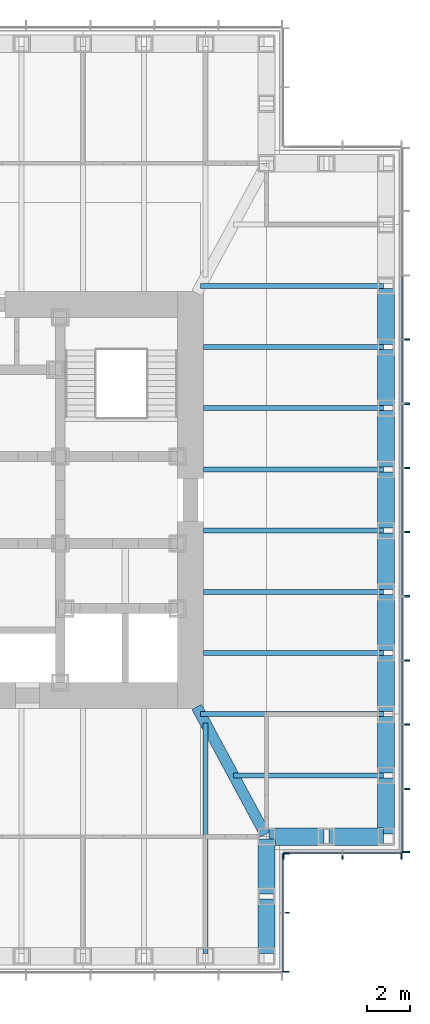
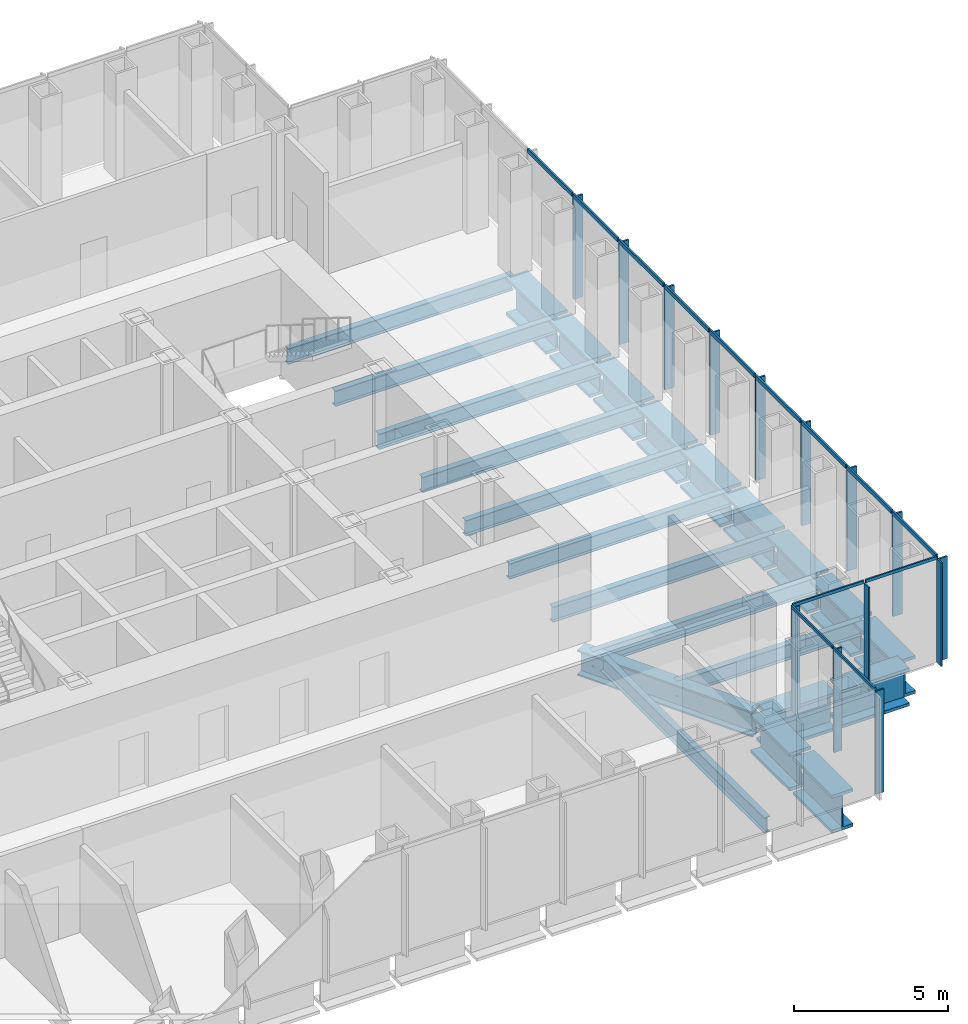
# One storey, part 4 of 17: 28 members, 24 beams, 3 elements without a shape of their own.
"""IFC4 building model written with IfcOpenShell, lengths in metres."""

from ifc_helpers import new_model, si_unit, direction, frame, origin, origin_2d, place, context, subcontext, project, spatial, rectangle, i_section, extrude, material, material_profile, profile_set, type_object, element, aggregate, save


model = new_model("IFC4")

# Units and contexts
model_context = context("Model", 3, precision=1e-05, world=origin(), true_north=direction((0.0, 1.0)))
body_context = subcontext(model_context, "Body", "Model", "MODEL_VIEW")
ifc_project = project(units=[si_unit("LENGTHUNIT", "METRE"), si_unit("AREAUNIT", "SQUARE_METRE"), si_unit("VOLUMEUNIT", "CUBIC_METRE"), si_unit("PLANEANGLEUNIT", "RADIAN"), si_unit("MASSUNIT", "GRAM", prefix="KILO")], contexts=[model_context])

# Site, building, storey
site_placement = place(None, origin())
site = spatial("IfcSite", under=ifc_project, at=site_placement, CompositionType="ELEMENT")
building_placement = place(site_placement, origin())
building = spatial("IfcBuilding", under=site, at=building_placement, Name="Daluyong Arena Tower", CompositionType="ELEMENT")
storey_placement = place(building_placement, frame((0.0, 0.0, 223.300048828125)))
storey = spatial("IfcBuildingStorey", under=building, at=storey_placement, Name="L50", CompositionType="ELEMENT", Elevation=223.300048828125)

# Curtain wall, members
ifc_material_1 = material(Name="Bronze anodised aluminium and glass", Category="aluminium")
curtain_wall_type_1 = type_object("IfcCurtainWallType", Name="Curtain wall CW3", PredefinedType="USERDEFINED", material=ifc_material_1)
curtain_wall_1_placement = place(storey_placement, origin())
curtain_wall_1 = element("IfcCurtainWall", 1, at=curtain_wall_1_placement, inside=storey, type_object=curtain_wall_type_1, Name="curtain wall L50 E", ObjectType="UNITISED CURTAIN WALL", PredefinedType="USERDEFINED")
ifc_material_2 = material(Name="Bronze anodised aluminium fin", Category="aluminium")
ifc_material_profile_1 = material_profile(ifc_material_2, rectangle(XDim=0.35009765625, YDim=0.070068359375, at=origin_2d()))
ifc_profile_set_1 = profile_set([ifc_material_profile_1], Name="Bronze anodised aluminium fin")
member_type_1 = type_object("IfcMemberType", Name="CW3 bronze fin 350x70", PredefinedType="MULLION", material=ifc_profile_set_1)
member_1_placement = place(storey_placement, frame((77.925048828125, 63.784912109375, 0.0), z_axis=(0.0, 0.0, 1.0), x_axis=(-1.0, 0.0, 0.0)))
member_1 = element("IfcMember", 2, at=member_1_placement, type_object=member_type_1, Name="curtain wall L50 E fin 1", PredefinedType="MULLION", context=body_context, shape_type="SweptSolid", body=[
    extrude(rectangle(XDim=0.35009765625, YDim=0.070068359375, at=origin_2d()), origin(), (0.0, 0.0, 1.0), 4.0400390625),
])
member_2_placement = place(storey_placement, frame((77.925048828125, 66.70458984375, 0.0), z_axis=(0.0, 0.0, 1.0), x_axis=(-1.0, 0.0, 0.0)))
member_2 = element("IfcMember", 3, at=member_2_placement, type_object=member_type_1, Name="curtain wall L50 E fin 2", PredefinedType="MULLION", context=body_context, shape_type="SweptSolid", body=[
    extrude(rectangle(XDim=0.35009765625, YDim=0.070068359375, at=origin_2d()), origin(), (0.0, 0.0, 1.0), 4.0400390625),
])
member_3_placement = place(storey_placement, frame((77.925048828125, 69.6591796875, 0.0), z_axis=(0.0, 0.0, 1.0), x_axis=(-1.0, 0.0, 0.0)))
member_3 = element("IfcMember", 4, at=member_3_placement, type_object=member_type_1, Name="curtain wall L50 E fin 3", PredefinedType="MULLION", context=body_context, shape_type="SweptSolid", body=[
    extrude(rectangle(XDim=0.35009765625, YDim=0.070068359375, at=origin_2d()), origin(), (0.0, 0.0, 1.0), 4.0400390625),
])
member_4_placement = place(storey_placement, frame((77.925048828125, 72.613525390625, 0.0), z_axis=(0.0, 0.0, 1.0), x_axis=(-1.0, 0.0, 0.0)))
member_4 = element("IfcMember", 5, at=member_4_placement, type_object=member_type_1, Name="curtain wall L50 E fin 4", PredefinedType="MULLION", context=body_context, shape_type="SweptSolid", body=[
    extrude(rectangle(XDim=0.35009765625, YDim=0.070068359375, at=origin_2d()), origin(), (0.0, 0.0, 1.0), 4.0400390625),
])
member_5_placement = place(storey_placement, frame((77.925048828125, 75.568115234375, 0.0), z_axis=(0.0, 0.0, 1.0), x_axis=(-1.0, 0.0, 0.0)))
member_5 = element("IfcMember", 6, at=member_5_placement, type_object=member_type_1, Name="curtain wall L50 E fin 5", PredefinedType="MULLION", context=body_context, shape_type="SweptSolid", body=[
    extrude(rectangle(XDim=0.35009765625, YDim=0.070068359375, at=origin_2d()), origin(), (0.0, 0.0, 1.0), 4.0400390625),
])
member_6_placement = place(storey_placement, frame((77.925048828125, 78.522705078125, 0.0), z_axis=(0.0, 0.0, 1.0), x_axis=(-1.0, 0.0, 0.0)))
member_6 = element("IfcMember", 7, at=member_6_placement, type_object=member_type_1, Name="curtain wall L50 E fin 6", PredefinedType="MULLION", context=body_context, shape_type="SweptSolid", body=[
    extrude(rectangle(XDim=0.35009765625, YDim=0.070068359375, at=origin_2d()), origin(), (0.0, 0.0, 1.0), 4.0400390625),
])
member_7_placement = place(storey_placement, frame((77.925048828125, 81.477294921875, 0.0), z_axis=(0.0, 0.0, 1.0), x_axis=(-1.0, 0.0, 0.0)))
member_7 = element("IfcMember", 8, at=member_7_placement, type_object=member_type_1, Name="curtain wall L50 E fin 7", PredefinedType="MULLION", context=body_context, shape_type="SweptSolid", body=[
    extrude(rectangle(XDim=0.35009765625, YDim=0.070068359375, at=origin_2d()), origin(), (0.0, 0.0, 1.0), 4.0400390625),
])
member_8_placement = place(storey_placement, frame((77.925048828125, 84.431884765625, 0.0), z_axis=(0.0, 0.0, 1.0), x_axis=(-1.0, 0.0, 0.0)))
member_8 = element("IfcMember", 9, at=member_8_placement, type_object=member_type_1, Name="curtain wall L50 E fin 8", PredefinedType="MULLION", context=body_context, shape_type="SweptSolid", body=[
    extrude(rectangle(XDim=0.35009765625, YDim=0.070068359375, at=origin_2d()), origin(), (0.0, 0.0, 1.0), 4.0400390625),
])
member_9_placement = place(storey_placement, frame((77.925048828125, 87.386474609375, 0.0), z_axis=(0.0, 0.0, 1.0), x_axis=(-1.0, 0.0, 0.0)))
member_9 = element("IfcMember", 10, at=member_9_placement, type_object=member_type_1, Name="curtain wall L50 E fin 9", PredefinedType="MULLION", context=body_context, shape_type="SweptSolid", body=[
    extrude(rectangle(XDim=0.35009765625, YDim=0.070068359375, at=origin_2d()), origin(), (0.0, 0.0, 1.0), 4.0400390625),
])
ifc_material_3 = material(Name="Bronze anodised aluminium", Category="aluminium")
ifc_material_profile_2 = material_profile(ifc_material_3, rectangle(XDim=0.070068359375, YDim=0.159912109375, at=origin_2d()))
ifc_profile_set_2 = profile_set([ifc_material_profile_2], Name="Bronze anodised aluminium")
member_type_2 = type_object("IfcMemberType", Name="CW3 stack transom 160x70", PredefinedType="USERDEFINED", material=ifc_profile_set_2)
member_10_placement = place(storey_placement, frame((77.75, 63.820068359375, 4.119873046875), z_axis=(0.0, 1.0, 0.0), x_axis=(-1.0, 0.0, 0.0)))
member_10 = element("IfcMember", 11, at=member_10_placement, type_object=member_type_2, Name="curtain wall L50 E transom 1", ObjectType="TRANSOM", PredefinedType="USERDEFINED", context=body_context, shape_type="SweptSolid", body=[
    extrude(rectangle(XDim=0.070068359375, YDim=0.159912109375, at=origin_2d()), origin(), (0.0, 0.0, 1.0), 2.849365234375),
])
member_11_placement = place(storey_placement, frame((77.75, 66.739501953125, 4.119873046875), z_axis=(0.0, 1.0, 0.0), x_axis=(-1.0, 0.0, 0.0)))
member_11 = element("IfcMember", 12, at=member_11_placement, type_object=member_type_2, Name="curtain wall L50 E transom 2", ObjectType="TRANSOM", PredefinedType="USERDEFINED", context=body_context, shape_type="SweptSolid", body=[
    extrude(rectangle(XDim=0.070068359375, YDim=0.159912109375, at=origin_2d()), origin(), (0.0, 0.0, 1.0), 2.884521484375),
])
member_12_placement = place(storey_placement, frame((77.75, 69.694091796875, 4.119873046875), z_axis=(0.0, 1.0, 0.0), x_axis=(-1.0, 0.0, 0.0)))
member_12 = element("IfcMember", 13, at=member_12_placement, type_object=member_type_2, Name="curtain wall L50 E transom 3", ObjectType="TRANSOM", PredefinedType="USERDEFINED", context=body_context, shape_type="SweptSolid", body=[
    extrude(rectangle(XDim=0.070068359375, YDim=0.159912109375, at=origin_2d()), origin(), (0.0, 0.0, 1.0), 2.884521484375),
])
member_13_placement = place(storey_placement, frame((77.75, 72.648681640625, 4.119873046875), z_axis=(0.0, 1.0, 0.0), x_axis=(-1.0, 0.0, 0.0)))
member_13 = element("IfcMember", 14, at=member_13_placement, type_object=member_type_2, Name="curtain wall L50 E transom 4", ObjectType="TRANSOM", PredefinedType="USERDEFINED", context=body_context, shape_type="SweptSolid", body=[
    extrude(rectangle(XDim=0.070068359375, YDim=0.159912109375, at=origin_2d()), origin(), (0.0, 0.0, 1.0), 2.884521484375),
])
member_14_placement = place(storey_placement, frame((77.75, 75.603271484375, 4.119873046875), z_axis=(0.0, 1.0, 0.0), x_axis=(-1.0, 0.0, 0.0)))
member_14 = element("IfcMember", 15, at=member_14_placement, type_object=member_type_2, Name="curtain wall L50 E transom 5", ObjectType="TRANSOM", PredefinedType="USERDEFINED", context=body_context, shape_type="SweptSolid", body=[
    extrude(rectangle(XDim=0.070068359375, YDim=0.159912109375, at=origin_2d()), origin(), (0.0, 0.0, 1.0), 2.884521484375),
])
member_15_placement = place(storey_placement, frame((77.75, 78.5576171875, 4.119873046875), z_axis=(0.0, 1.0, 0.0), x_axis=(-1.0, 0.0, 0.0)))
member_15 = element("IfcMember", 16, at=member_15_placement, type_object=member_type_2, Name="curtain wall L50 E transom 6", ObjectType="TRANSOM", PredefinedType="USERDEFINED", context=body_context, shape_type="SweptSolid", body=[
    extrude(rectangle(XDim=0.070068359375, YDim=0.159912109375, at=origin_2d()), origin(), (0.0, 0.0, 1.0), 2.884765625),
])
member_16_placement = place(storey_placement, frame((77.75, 81.51220703125, 4.119873046875), z_axis=(0.0, 1.0, 0.0), x_axis=(-1.0, 0.0, 0.0)))
member_16 = element("IfcMember", 17, at=member_16_placement, type_object=member_type_2, Name="curtain wall L50 E transom 7", ObjectType="TRANSOM", PredefinedType="USERDEFINED", context=body_context, shape_type="SweptSolid", body=[
    extrude(rectangle(XDim=0.070068359375, YDim=0.159912109375, at=origin_2d()), origin(), (0.0, 0.0, 1.0), 2.884521484375),
])
member_17_placement = place(storey_placement, frame((77.75, 84.466796875, 4.119873046875), z_axis=(0.0, 1.0, 0.0), x_axis=(-1.0, 0.0, 0.0)))
member_17 = element("IfcMember", 18, at=member_17_placement, type_object=member_type_2, Name="curtain wall L50 E transom 8", ObjectType="TRANSOM", PredefinedType="USERDEFINED", context=body_context, shape_type="SweptSolid", body=[
    extrude(rectangle(XDim=0.070068359375, YDim=0.159912109375, at=origin_2d()), origin(), (0.0, 0.0, 1.0), 2.884521484375),
])
member_18_placement = place(storey_placement, frame((77.75, 87.42138671875, 4.119873046875), z_axis=(0.0, 1.0, 0.0), x_axis=(-1.0, 0.0, 0.0)))
member_18 = element("IfcMember", 19, at=member_18_placement, type_object=member_type_2, Name="curtain wall L50 E transom 9", ObjectType="TRANSOM", PredefinedType="USERDEFINED", context=body_context, shape_type="SweptSolid", body=[
    extrude(rectangle(XDim=0.070068359375, YDim=0.159912109375, at=origin_2d()), origin(), (0.0, 0.0, 1.0), 2.884521484375),
])
aggregate(curtain_wall_1, [member_1, member_2, member_3, member_4, member_5, member_6, member_7, member_8, member_9, member_10, member_11, member_12, member_13, member_14, member_15, member_16, member_17, member_18])

ifc_material_4 = material(Name="Bronze anodised aluminium and glass", Category="aluminium")
curtain_wall_type_2 = type_object("IfcCurtainWallType", Name="Curtain wall CW7", PredefinedType="USERDEFINED", material=ifc_material_4)
curtain_wall_2_placement = place(storey_placement, origin())
curtain_wall_2 = element("IfcCurtainWall", 20, at=curtain_wall_2_placement, inside=storey, type_object=curtain_wall_type_2, Name="curtain wall L50 SE-E", ObjectType="UNITISED CURTAIN WALL", PredefinedType="USERDEFINED")
ifc_material_5 = material(Name="Bronze anodised aluminium fin", Category="aluminium")
ifc_material_profile_3 = material_profile(ifc_material_5, rectangle(XDim=0.300048828125, YDim=0.06005859375, at=origin_2d()))
ifc_profile_set_3 = profile_set([ifc_material_profile_3], Name="Bronze anodised aluminium fin")
member_type_3 = type_object("IfcMemberType", Name="CW7 bronze fin 300x60", PredefinedType="MULLION", material=ifc_profile_set_3)
member_19_placement = place(storey_placement, frame((72.39990234375, 58.280029296875, 0.0), z_axis=(0.0, 0.0, 1.0), x_axis=(-1.0, 0.0, 0.0)))
member_19 = element("IfcMember", 21, at=member_19_placement, type_object=member_type_3, Name="curtain wall L50 SE-E fin 1", PredefinedType="MULLION", context=body_context, shape_type="SweptSolid", body=[
    extrude(rectangle(XDim=0.300048828125, YDim=0.06005859375, at=origin_2d()), origin(), (0.0, 0.0, 1.0), 4.079833984375),
])
member_20_placement = place(storey_placement, frame((72.39990234375, 61.0, 0.0), z_axis=(0.0, 0.0, 1.0), x_axis=(-1.0, 0.0, 0.0)))
member_20 = element("IfcMember", 22, at=member_20_placement, type_object=member_type_3, Name="curtain wall L50 SE-E fin 2", PredefinedType="MULLION", context=body_context, shape_type="SweptSolid", body=[
    extrude(rectangle(XDim=0.300048828125, YDim=0.06005859375, at=origin_2d()), origin(), (0.0, 0.0, 1.0), 4.079833984375),
])
member_21_placement = place(storey_placement, frame((72.39990234375, 63.719970703125, 0.0), z_axis=(0.0, 0.0, 1.0), x_axis=(-1.0, 0.0, 0.0)))
member_21 = element("IfcMember", 23, at=member_21_placement, type_object=member_type_3, Name="curtain wall L50 SE-E fin 3", PredefinedType="MULLION", context=body_context, shape_type="SweptSolid", body=[
    extrude(rectangle(XDim=0.300048828125, YDim=0.06005859375, at=origin_2d()), origin(), (0.0, 0.0, 1.0), 4.079833984375),
])

curtain_wall_3_placement = place(storey_placement, origin())
curtain_wall_3 = element("IfcCurtainWall", 24, at=curtain_wall_3_placement, inside=storey, type_object=curtain_wall_type_2, Name="curtain wall L50 SE-S", ObjectType="UNITISED CURTAIN WALL", PredefinedType="USERDEFINED")
member_22_placement = place(storey_placement, frame((72.280029296875, 63.60009765625, 0.0), z_axis=(0.0, 0.0, 1.0), x_axis=(0.0, 1.0, 0.0)))
member_22 = element("IfcMember", 25, at=member_22_placement, type_object=member_type_3, Name="curtain wall L50 SE-S fin 1", PredefinedType="MULLION", context=body_context, shape_type="SweptSolid", body=[
    extrude(rectangle(XDim=0.300048828125, YDim=0.06005859375, at=origin_2d()), origin(), (0.0, 0.0, 1.0), 4.079833984375),
])
member_23_placement = place(storey_placement, frame((75.0, 63.60009765625, 0.0), z_axis=(0.0, 0.0, 1.0), x_axis=(0.0, 1.0, 0.0)))
member_23 = element("IfcMember", 26, at=member_23_placement, type_object=member_type_3, Name="curtain wall L50 SE-S fin 2", PredefinedType="MULLION", context=body_context, shape_type="SweptSolid", body=[
    extrude(rectangle(XDim=0.300048828125, YDim=0.06005859375, at=origin_2d()), origin(), (0.0, 0.0, 1.0), 4.079833984375),
])
member_24_placement = place(storey_placement, frame((77.719970703125, 63.60009765625, 0.0), z_axis=(0.0, 0.0, 1.0), x_axis=(0.0, 1.0, 0.0)))
member_24 = element("IfcMember", 27, at=member_24_placement, type_object=member_type_3, Name="curtain wall L50 SE-S fin 3", PredefinedType="MULLION", context=body_context, shape_type="SweptSolid", body=[
    extrude(rectangle(XDim=0.300048828125, YDim=0.06005859375, at=origin_2d()), origin(), (0.0, 0.0, 1.0), 4.079833984375),
])

# Member
ifc_material_6 = material(Name="Bronze anodised aluminium", Category="aluminium")
ifc_material_profile_4 = material_profile(ifc_material_6, rectangle(XDim=0.06005859375, YDim=0.1201171875, at=origin_2d()))
ifc_profile_set_4 = profile_set([ifc_material_profile_4], Name="Bronze anodised aluminium")
member_type_4 = type_object("IfcMemberType", Name="CW7 stack transom 120x60", PredefinedType="USERDEFINED", material=ifc_profile_set_4)
member_25_placement = place(storey_placement, frame((72.25, 58.31005859375, 4.139892578125), z_axis=(0.0, 1.0, 0.0), x_axis=(-1.0, 0.0, 0.0)))
member_25 = element("IfcMember", 28, at=member_25_placement, type_object=member_type_4, Name="curtain wall L50 SE-E transom 1", ObjectType="TRANSOM", PredefinedType="USERDEFINED", context=body_context, shape_type="SweptSolid", body=[
    extrude(rectangle(XDim=0.06005859375, YDim=0.1201171875, at=origin_2d()), origin(), (0.0, 0.0, 1.0), 2.659912109375),
])

member_26_placement = place(storey_placement, frame((72.25, 61.030029296875, 4.139892578125), z_axis=(0.0, 1.0, 0.0), x_axis=(-1.0, 0.0, 0.0)))
member_26 = element("IfcMember", 29, at=member_26_placement, type_object=member_type_4, Name="curtain wall L50 SE-E transom 2", ObjectType="TRANSOM", PredefinedType="USERDEFINED", context=body_context, shape_type="SweptSolid", body=[
    extrude(rectangle(XDim=0.06005859375, YDim=0.1201171875, at=origin_2d()), origin(), (0.0, 0.0, 1.0), 2.659912109375),
])

aggregate(curtain_wall_2, [member_19, member_20, member_21, member_25, member_26])

member_27_placement = place(storey_placement, frame((72.31005859375, 63.75, 4.139892578125), z_axis=(1.0, 0.0, 0.0), x_axis=(0.0, 1.0, 0.0)))
member_27 = element("IfcMember", 30, at=member_27_placement, type_object=member_type_4, Name="curtain wall L50 SE-S transom 1", ObjectType="TRANSOM", PredefinedType="USERDEFINED", context=body_context, shape_type="SweptSolid", body=[
    extrude(rectangle(XDim=0.06005859375, YDim=0.1201171875, at=origin_2d()), origin(), (0.0, 0.0, 1.0), 2.659912109375),
])

member_28_placement = place(storey_placement, frame((75.030029296875, 63.75, 4.139892578125), z_axis=(1.0, 0.0, 0.0), x_axis=(0.0, 1.0, 0.0)))
member_28 = element("IfcMember", 31, at=member_28_placement, type_object=member_type_4, Name="curtain wall L50 SE-S transom 2", ObjectType="TRANSOM", PredefinedType="USERDEFINED", context=body_context, shape_type="SweptSolid", body=[
    extrude(rectangle(XDim=0.06005859375, YDim=0.1201171875, at=origin_2d()), origin(), (0.0, 0.0, 1.0), 2.659912109375),
])

aggregate(curtain_wall_3, [member_22, member_23, member_24, member_27, member_28])

# Beams
ifc_material_7 = material(Name="Steel ASTM A572 Grade 50", Category="steel")
ifc_material_profile_5 = material_profile(ifc_material_7, i_section(OverallWidth=0.5, OverallDepth=1.0, WebThickness=0.03, FlangeThickness=0.06, at=origin_2d()))
ifc_profile_set_5 = profile_set([ifc_material_profile_5], Name="Steel ASTM A572 Grade 50")
beam_type_1 = type_object("IfcBeamType", Name="Corner girder TB1000X500", PredefinedType="BEAM", material=ifc_profile_set_5)
beam_1_placement = place(storey_placement, frame((71.445556640625, 64.601318359375, -0.66015625), z_axis=(-0.474119475266, 0.880460517669, 0.0), x_axis=(-0.880460517669, -0.474119475266, 0.0)))
element("IfcBeam", 32, at=beam_1_placement, inside=storey, type_object=beam_type_1, Name="corner girder DG2", PredefinedType="BEAM", context=body_context, shape_type="SweptSolid", body=[
    extrude(i_section(OverallWidth=0.5, OverallDepth=1.0, WebThickness=0.03, FlangeThickness=0.06, at=origin_2d()), origin(), (0.0, 0.0, 1.0), 6.66748046875),
])
ifc_material_8 = material(Name="Steel ASTM A992 Grade 50", Category="steel")
ifc_material_profile_6 = material_profile(ifc_material_8, i_section(OverallWidth=0.22900390625, OverallDepth=0.612060546875, WebThickness=0.011962890625, FlangeThickness=0.01953125, at=origin_2d()))
ifc_profile_set_6 = profile_set([ifc_material_profile_6], Name="Steel ASTM A992 Grade 50")
beam_type_2 = type_object("IfcBeamType", Name="Floor beam W24X84", PredefinedType="BEAM", material=ifc_profile_set_6)
beam_2_placement = place(storey_placement, frame((68.681884765625, 59.114990234375, -0.466064453125), z_axis=(0.0, 1.0, 0.0), x_axis=(-1.0, 0.0, 0.0)))
element("IfcBeam", 33, at=beam_2_placement, inside=storey, type_object=beam_type_2, Name="floor beam FB3", PredefinedType="BEAM", context=body_context, shape_type="SweptSolid", body=[
    extrude(i_section(OverallWidth=0.22900390625, OverallDepth=0.612060546875, WebThickness=0.011962890625, FlangeThickness=0.01953125, at=origin_2d()), origin(), (0.0, 0.0, 1.0), 10.618896484375),
])
beam_3_placement = place(storey_placement, frame((76.885009765625, 67.318115234375, -0.466064453125), z_axis=(-1.0, 0.0, 0.0), x_axis=(0.0, -1.0, 0.0)))
element("IfcBeam", 34, at=beam_3_placement, inside=storey, type_object=beam_type_2, Name="floor beam FB3", PredefinedType="BEAM", context=body_context, shape_type="SweptSolid", body=[
    extrude(i_section(OverallWidth=0.22900390625, OverallDepth=0.612060546875, WebThickness=0.011962890625, FlangeThickness=0.01953125, at=origin_2d()), origin(), (0.0, 0.0, 1.0), 6.902587890625),
])
beam_4_placement = place(storey_placement, frame((76.885009765625, 70.136474609375, -0.466064453125), z_axis=(-1.0, 0.0, 0.0), x_axis=(0.0, -1.0, 0.0)))
element("IfcBeam", 35, at=beam_4_placement, inside=storey, type_object=beam_type_2, Name="floor beam FB3", PredefinedType="BEAM", context=body_context, shape_type="SweptSolid", body=[
    extrude(i_section(OverallWidth=0.22900390625, OverallDepth=0.612060546875, WebThickness=0.011962890625, FlangeThickness=0.01953125, at=origin_2d()), origin(), (0.0, 0.0, 1.0), 8.419921875),
])
for number, where, z_axis, x_axis, name in (
    (36, (76.885009765625, 72.95458984375, -0.466064453125), (-1.0, 0.0, 0.0), (0.0, -1.0, 0.0), "floor beam FB3"),
    (37, (76.885009765625, 75.772705078125, -0.466064453125), (-1.0, 0.0, 0.0), (0.0, -1.0, 0.0), "floor beam FB3"),
    (38, (76.885009765625, 78.5908203125, -0.466064453125), (-1.0, 0.0, 0.0), (0.0, -1.0, 0.0), "floor beam FB3"),
    (39, (76.885009765625, 81.4091796875, -0.466064453125), (-1.0, 0.0, 0.0), (0.0, -1.0, 0.0), "floor beam FB3"),
    (40, (76.885009765625, 84.227294921875, -0.466064453125), (-1.0, 0.0, 0.0), (0.0, -1.0, 0.0), "floor beam FB3"),
    (41, (76.885009765625, 87.04541015625, -0.466064453125), (-1.0, 0.0, 0.0), (0.0, -1.0, 0.0), "floor beam FB3"),
):
    element("IfcBeam", number, at=place(storey_placement, frame(where, z_axis=z_axis, x_axis=x_axis)), inside=storey, type_object=beam_type_2, Name=name, PredefinedType="BEAM", context=body_context, shape_type="SweptSolid", body=[
        extrude(i_section(OverallWidth=0.22900390625, OverallDepth=0.612060546875, WebThickness=0.011962890625, FlangeThickness=0.01953125, at=origin_2d()), origin(), (0.0, 0.0, 1.0), 8.284912109375),
    ])
beam_5_placement = place(storey_placement, frame((76.885009765625, 89.863525390625, -0.466064453125), z_axis=(-1.0, 0.0, 0.0), x_axis=(0.0, -1.0, 0.0)))
element("IfcBeam", 42, at=beam_5_placement, inside=storey, type_object=beam_type_2, Name="floor beam FB3", PredefinedType="BEAM", context=body_context, shape_type="SweptSolid", body=[
    extrude(i_section(OverallWidth=0.22900390625, OverallDepth=0.612060546875, WebThickness=0.011962890625, FlangeThickness=0.01953125, at=origin_2d()), origin(), (0.0, 0.0, 1.0), 8.419921875),
])
ifc_material_9 = material(Name="Steel ASTM A588 Grade 50", Category="steel")
ifc_material_profile_7 = material_profile(ifc_material_9, i_section(OverallWidth=0.800048828125, OverallDepth=1.5, WebThickness=0.05, FlangeThickness=0.12, at=origin_2d()))
ifc_profile_set_7 = profile_set([ifc_material_profile_7], Name="Steel ASTM A588 Grade 50")
beam_type_3 = type_object("IfcBeamType", Name="Spandrel Z3 PG1500X800", PredefinedType="SPANDREL", material=ifc_profile_set_7)
for number, where, z_axis, x_axis, name in (
    (43, (71.5, 59.114990234375, -0.91015625), (0.0, 1.0, 0.0), (-1.0, 0.0, 0.0), "spandrel z3 SB7"),
    (44, (71.5, 61.864990234375, -0.91015625), (0.0, 1.0, 0.0), (-1.0, 0.0, 0.0), "spandrel z3 SB7"),
    (45, (71.614990234375, 64.5, -0.91015625), (1.0, 0.0, 0.0), (0.0, 1.0, 0.0), "spandrel z3 SB7"),
    (46, (74.364990234375, 64.5, -0.91015625), (1.0, 0.0, 0.0), (0.0, 1.0, 0.0), "spandrel z3 SB7"),
):
    element("IfcBeam", number, at=place(storey_placement, frame(where, z_axis=z_axis, x_axis=x_axis)), inside=storey, type_object=beam_type_3, Name=name, PredefinedType="SPANDREL", context=body_context, shape_type="SweptSolid", body=[
        extrude(i_section(OverallWidth=0.800048828125, OverallDepth=1.5, WebThickness=0.05, FlangeThickness=0.12, at=origin_2d()), origin(), (0.0, 0.0, 1.0), 2.52001953125),
    ])
beam_6_placement = place(storey_placement, frame((77.0, 64.614990234375, -0.91015625), z_axis=(0.0, 1.0, 0.0), x_axis=(-1.0, 0.0, 0.0)))
element("IfcBeam", 47, at=beam_6_placement, inside=storey, type_object=beam_type_3, Name="spandrel z3 SB7", PredefinedType="SPANDREL", context=body_context, shape_type="SweptSolid", body=[
    extrude(i_section(OverallWidth=0.800048828125, OverallDepth=1.5, WebThickness=0.05, FlangeThickness=0.12, at=origin_2d()), origin(), (0.0, 0.0, 1.0), 2.588134765625),
])
beam_7_placement = place(storey_placement, frame((77.0, 67.43310546875, -0.91015625), z_axis=(0.0, 1.0, 0.0), x_axis=(-1.0, 0.0, 0.0)))
element("IfcBeam", 48, at=beam_7_placement, inside=storey, type_object=beam_type_3, Name="spandrel z3 SB7", PredefinedType="SPANDREL", context=body_context, shape_type="SweptSolid", body=[
    extrude(i_section(OverallWidth=0.800048828125, OverallDepth=1.5, WebThickness=0.05, FlangeThickness=0.12, at=origin_2d()), origin(), (0.0, 0.0, 1.0), 2.58837890625),
])
for number, where, z_axis, x_axis, name in (
    (49, (77.0, 70.25146484375, -0.91015625), (0.0, 1.0, 0.0), (-1.0, 0.0, 0.0), "spandrel z3 SB7"),
    (50, (77.0, 73.069580078125, -0.91015625), (0.0, 1.0, 0.0), (-1.0, 0.0, 0.0), "spandrel z3 SB7"),
    (51, (77.0, 75.8876953125, -0.91015625), (0.0, 1.0, 0.0), (-1.0, 0.0, 0.0), "spandrel z3 SB7"),
):
    element("IfcBeam", number, at=place(storey_placement, frame(where, z_axis=z_axis, x_axis=x_axis)), inside=storey, type_object=beam_type_3, Name=name, PredefinedType="SPANDREL", context=body_context, shape_type="SweptSolid", body=[
        extrude(i_section(OverallWidth=0.800048828125, OverallDepth=1.5, WebThickness=0.05, FlangeThickness=0.12, at=origin_2d()), origin(), (0.0, 0.0, 1.0), 2.588134765625),
    ])
beam_8_placement = place(storey_placement, frame((77.0, 78.705810546875, -0.91015625), z_axis=(0.0, 1.0, 0.0), x_axis=(-1.0, 0.0, 0.0)))
element("IfcBeam", 52, at=beam_8_placement, inside=storey, type_object=beam_type_3, Name="spandrel z3 SB7", PredefinedType="SPANDREL", context=body_context, shape_type="SweptSolid", body=[
    extrude(i_section(OverallWidth=0.800048828125, OverallDepth=1.5, WebThickness=0.05, FlangeThickness=0.12, at=origin_2d()), origin(), (0.0, 0.0, 1.0), 2.58837890625),
])
for number, where, z_axis, x_axis, name in (
    (53, (77.0, 81.524169921875, -0.91015625), (0.0, 1.0, 0.0), (-1.0, 0.0, 0.0), "spandrel z3 SB7"),
    (54, (77.0, 84.34228515625, -0.91015625), (0.0, 1.0, 0.0), (-1.0, 0.0, 0.0), "spandrel z3 SB7"),
    (55, (77.0, 87.160400390625, -0.91015625), (0.0, 1.0, 0.0), (-1.0, 0.0, 0.0), "spandrel z3 SB7"),
):
    element("IfcBeam", number, at=place(storey_placement, frame(where, z_axis=z_axis, x_axis=x_axis)), inside=storey, type_object=beam_type_3, Name=name, PredefinedType="SPANDREL", context=body_context, shape_type="SweptSolid", body=[
        extrude(i_section(OverallWidth=0.800048828125, OverallDepth=1.5, WebThickness=0.05, FlangeThickness=0.12, at=origin_2d()), origin(), (0.0, 0.0, 1.0), 2.588134765625),
    ])

save(model, "model.ifc")
